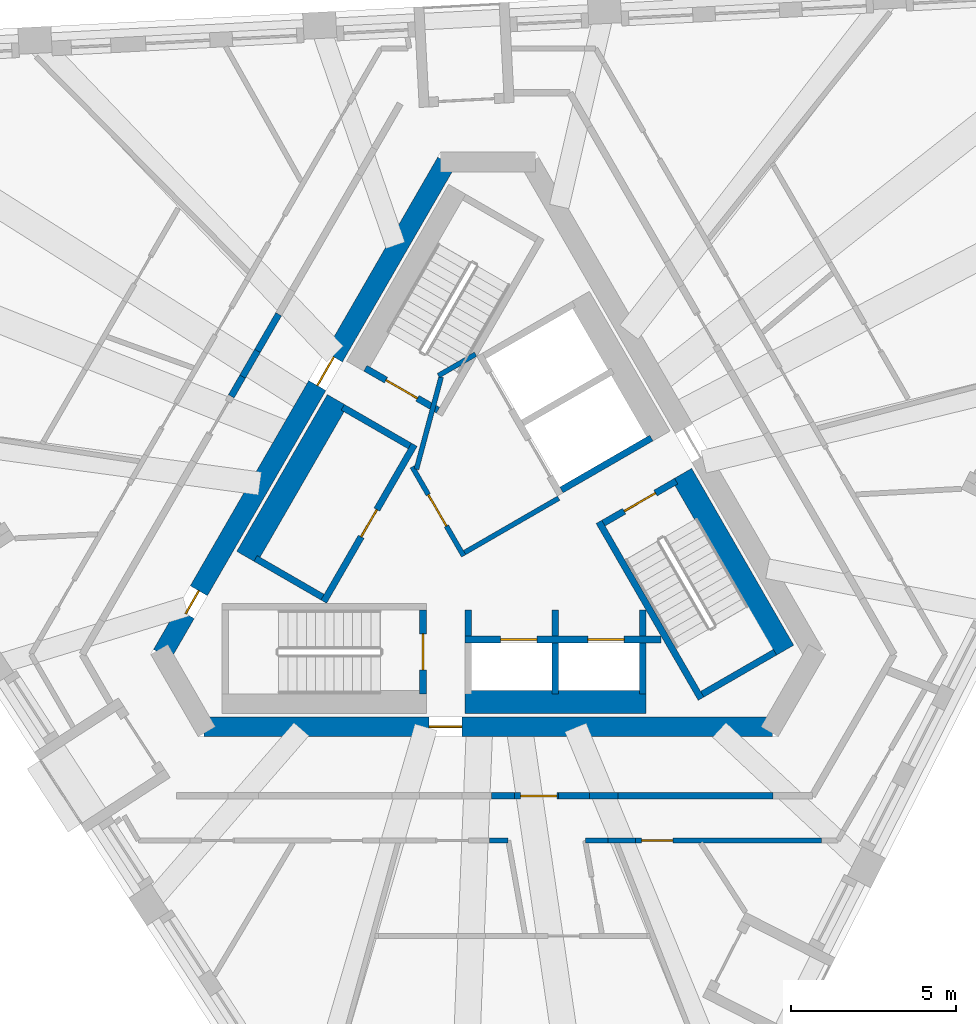
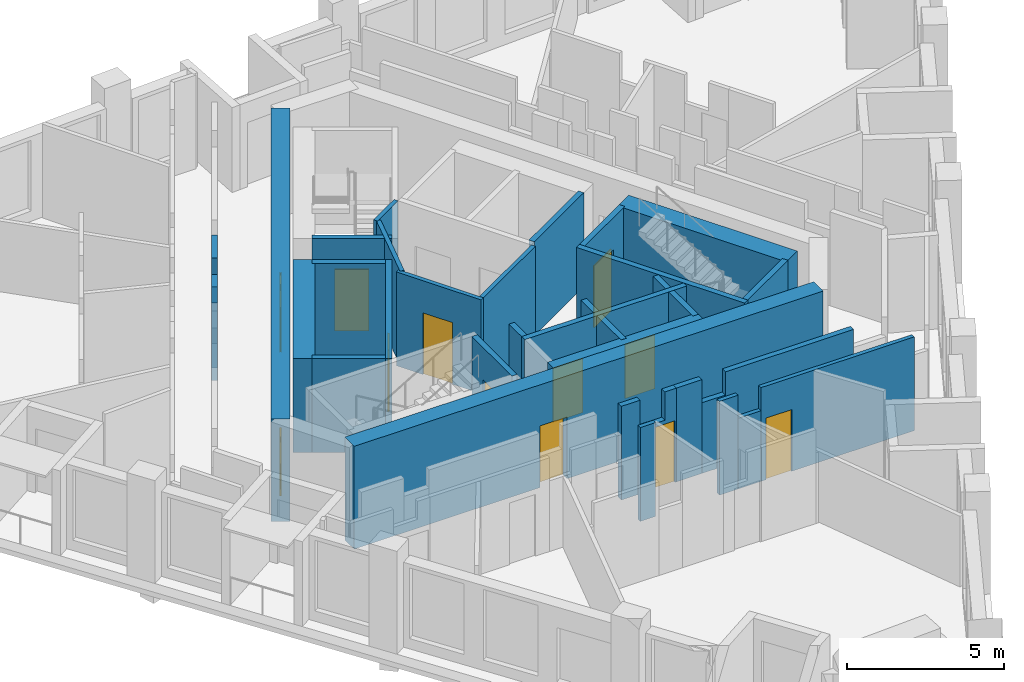
# One storey, part 4 of 12: 36 walls, 12 doors, 12 openings.
"""IFC4 building model written with IfcOpenShell, lengths in metres."""

from ifc_helpers import new_model, si_unit, direction, frame, frame_2d, origin, place, context, subcontext, project, spatial, polyline, rectangle, outline, extrude, material, layer, layer_set, type_object, element, fill, save


model = new_model("IFC4")

# Units and contexts
model_context = context("Model", 3, precision=1e-05, world=origin(), true_north=direction((0.0, 1.0)))
body_context = subcontext(model_context, "Body", "Model", "MODEL_VIEW")
ifc_project = project(units=[si_unit("LENGTHUNIT", "METRE"), si_unit("AREAUNIT", "SQUARE_METRE"), si_unit("VOLUMEUNIT", "CUBIC_METRE"), si_unit("PLANEANGLEUNIT", "RADIAN"), si_unit("MASSUNIT", "GRAM", prefix="KILO")], contexts=[model_context])

# Site, building, storey
site_placement = place(None, origin())
site = spatial("IfcSite", under=ifc_project, at=site_placement, CompositionType="ELEMENT")
building_placement = place(site_placement, origin())
building = spatial("IfcBuilding", under=site, at=building_placement, Name="Tramontana Tower", CompositionType="ELEMENT")
storey_placement = place(building_placement, frame((0.0, 0.0, 278.39990234375)))
storey = spatial("IfcBuildingStorey", under=building, at=storey_placement, Name="L65", CompositionType="ELEMENT", Elevation=278.39990234375)

# Wall, openings, doors
ifc_material_1 = material(Name="Concrete 70 MPa", Category="concrete")
ifc_layer_1 = layer(ifc_material_1, 0.60009765625)
ifc_layer_set_1 = layer_set([ifc_layer_1], Name="Core wall 600 70 MPa")
wall_type_1 = type_object("IfcWallType", Name="Core wall 600 70 MPa", PredefinedType="SHEAR", material=ifc_layer_set_1)
wall_1_placement = place(storey_placement, frame((-1.270263671875, 10.699951171875, 0.0), z_axis=(0.0, 0.0, 1.0), x_axis=(-0.499999536116, -0.866025671608, 0.0)))
wall_1 = element("IfcWall", 1, at=wall_1_placement, inside=storey, type_object=wall_type_1, Name="Core wall C1 L65", PredefinedType="SHEAR", context=body_context, shape_type="SweptSolid", body=[
    extrude(rectangle(XDim=17.2626953125, YDim=0.60009765625, at=frame_2d((8.63134765625, 0.0))), origin(), (0.0, 0.0, 1.0), 4.0),
])
opening_1_placement = place(wall_1_placement, frame((6.83642578125, 0.0, 0.0)))
opening_1 = element("IfcOpeningElement", 2, at=opening_1_placement, cuts=wall_1, Name="Opening RG1", PredefinedType="OPENING", context=body_context, shape_type="SweptSolid", body=[
    extrude(rectangle(XDim=1.0, YDim=2.39990234375, at=frame_2d((0.5, 1.199951171875))), frame((0.0, 0.31005859375, 0.0), z_axis=(0.0, -1.0, 0.0), x_axis=(1.0, 0.0, 0.0)), (0.0, 0.0, 1.0), 0.6201171875),
])
opening_2_placement = place(wall_1_placement, frame((15.0341796875, 0.0, 0.0)))
opening_2 = element("IfcOpeningElement", 3, at=opening_2_placement, cuts=wall_1, Name="Opening PD1", PredefinedType="OPENING", context=body_context, shape_type="SweptSolid", body=[
    extrude(rectangle(XDim=0.800048828125, YDim=2.10009765625, at=frame_2d((0.39990234375, 1.050048828125))), frame((0.0, 0.31005859375, 0.0), z_axis=(0.0, -1.0, 0.0), x_axis=(1.0, 0.0, 0.0)), (0.0, 0.0, 1.0), 0.6201171875),
])
ifc_material_2 = material(Name="Painted steel", Category="steel")
door_type_1 = type_object("IfcDoorType", Name="CUPBOARD DOOR 800", OperationType="SINGLE_SWING_LEFT", PredefinedType="DOOR", material=ifc_material_2)
door_1_placement = place(opening_2_placement, origin())
door_1 = element("IfcDoor", 4, at=door_1_placement, inside=storey, type_object=door_type_1, Name="Door PD1", OperationType="SINGLE_SWING_RIGHT", OverallHeight=2.10009765625, OverallWidth=0.800048828125, PredefinedType="DOOR", context=body_context, shape_type="SweptSolid", body=[
    extrude(rectangle(XDim=0.800048828125, YDim=2.10009765625, at=frame_2d((0.39990234375, 1.050048828125))), frame((0.0, 0.02490234375, 0.0), z_axis=(0.0, -1.0, 0.0), x_axis=(1.0, 0.0, 0.0)), (0.0, 0.0, 1.0), 0.050048828125),
])
fill(opening_2, door_1)
ifc_material_3 = material(Name="Painted steel", Category="steel")
door_type_2 = type_object("IfcDoorType", Name="RING DOOR 1000", OperationType="SINGLE_SWING_LEFT", PredefinedType="DOOR", material=ifc_material_3)
door_2_placement = place(opening_1_placement, origin())
door_2 = element("IfcDoor", 5, at=door_2_placement, inside=storey, type_object=door_type_2, Name="Door RG1", OperationType="SINGLE_SWING_LEFT", OverallHeight=2.39990234375, OverallWidth=1.0, PredefinedType="DOOR", context=body_context, shape_type="SweptSolid", body=[
    extrude(rectangle(XDim=1.0, YDim=2.39990234375, at=frame_2d((0.5, 1.199951171875))), frame((0.0, 0.02490234375, 0.0), z_axis=(0.0, -1.0, 0.0), x_axis=(1.0, 0.0, 0.0)), (0.0, 0.0, 1.0), 0.050048828125),
])
fill(opening_1, door_2)

# Wall, opening, door
wall_2_placement = place(storey_placement, frame((-8.63134765625, -6.449951171875, 0.0), z_axis=(0.0, 0.0, 1.0), x_axis=(1.0, 0.0, 0.0)))
wall_2 = element("IfcWall", 6, at=wall_2_placement, inside=storey, type_object=wall_type_1, Name="Core wall C3 L65", PredefinedType="SHEAR", context=body_context, shape_type="SweptSolid", body=[
    extrude(rectangle(XDim=17.2626953125, YDim=0.60009765625, at=frame_2d((8.63134765625, 0.0))), origin(), (0.0, 0.0, 1.0), 4.0),
])
opening_3_placement = place(wall_2_placement, frame((6.83642578125, 0.0, 0.0)))
opening_3 = element("IfcOpeningElement", 7, at=opening_3_placement, cuts=wall_2, Name="Opening RG2", PredefinedType="OPENING", context=body_context, shape_type="SweptSolid", body=[
    extrude(rectangle(XDim=1.0, YDim=2.39990234375, at=frame_2d((0.5, 1.199951171875))), frame((0.0, 0.31005859375, 0.0), z_axis=(0.0, -1.0, 0.0), x_axis=(1.0, 0.0, 0.0)), (0.0, 0.0, 1.0), 0.6201171875),
])
door_3_placement = place(opening_3_placement, origin())
door_3 = element("IfcDoor", 8, at=door_3_placement, inside=storey, type_object=door_type_2, Name="Door RG2", OperationType="SINGLE_SWING_RIGHT", OverallHeight=2.39990234375, OverallWidth=1.0, PredefinedType="DOOR", context=body_context, shape_type="SweptSolid", body=[
    extrude(rectangle(XDim=1.0, YDim=2.39990234375, at=frame_2d((0.5, 1.199951171875))), frame((0.0, 0.02490234375, 0.0), z_axis=(0.0, -1.0, 0.0), x_axis=(1.0, 0.0, 0.0)), (0.0, 0.0, 1.0), 0.050048828125),
])
fill(opening_3, door_3)

# Walls
ifc_material_4 = material(Name="Blockwork", Category="masonry")
ifc_layer_2 = layer(ifc_material_4, 0.199951171875)
ifc_layer_set_2 = layer_set([ifc_layer_2], Name="ENTRY WALL 200")
wall_type_2 = type_object("IfcWallType", Name="ENTRY WALL 200", PredefinedType="SOLIDWALL", material=ifc_layer_set_2)
wall_3_placement = place(storey_placement, frame((8.6552734375, -8.550048828125, 0.0), z_axis=(0.0, 0.0, 1.0), x_axis=(-1.0, 0.0, 0.0)))
element("IfcWall", 9, at=wall_3_placement, inside=storey, type_object=wall_type_2, Name="Wall v70-ew1-1", PredefinedType="SOLIDWALL", context=body_context, shape_type="SweptSolid", body=[
    extrude(rectangle(XDim=4.71728515625, YDim=0.199951171875, at=frame_2d((2.358642578125, 0.0))), origin(), (0.0, 0.0, 1.0), 3.650146484375),
])
wall_4_placement = place(storey_placement, frame((3.93798828125, -8.550048828125, 0.0), z_axis=(0.0, 0.0, 1.0), x_axis=(-1.0, 0.0, 0.0)))
element("IfcWall", 10, at=wall_4_placement, inside=storey, type_object=wall_type_2, Name="Wall v70-ew1-2", PredefinedType="SOLIDWALL", context=body_context, shape_type="SweptSolid", body=[
    extrude(rectangle(XDim=0.864501953125, YDim=0.199951171875, at=frame_2d((0.43212890625, 0.0))), origin(), (0.0, 0.0, 1.0), 2.75),
])
wall_5_placement = place(storey_placement, frame((3.073486328125, -8.550048828125, 0.0), z_axis=(0.0, 0.0, 1.0), x_axis=(-1.0, 0.0, 0.0)))
element("IfcWall", 11, at=wall_5_placement, inside=storey, type_object=wall_type_2, Name="Wall v70-ew1-3", PredefinedType="SOLIDWALL", context=body_context, shape_type="SweptSolid", body=[
    extrude(rectangle(XDim=0.939208984375, YDim=0.199951171875, at=frame_2d((0.4697265625, 0.0))), origin(), (0.0, 0.0, 1.0), 3.650146484375),
])

# Wall, opening, door
wall_6_placement = place(storey_placement, frame((2.13427734375, -8.550048828125, 0.0), z_axis=(0.0, 0.0, 1.0), x_axis=(-1.0, 0.0, 0.0)))
wall_6 = element("IfcWall", 12, at=wall_6_placement, inside=storey, type_object=wall_type_2, Name="Wall v70-ew1-4", PredefinedType="SOLIDWALL", context=body_context, shape_type="SweptSolid", body=[
    extrude(outline(polyline([(0.0, 0.0), (1.339111328125, 0.0), (1.3388671875, 2.550048828125), (0.429443359375, 2.550048828125), (0.429443359375, 3.650146484375), (0.0, 3.650146484375), (0.0, 0.0)])), frame((0.0, 0.10009765625, 0.0), z_axis=(0.0, -1.0, 0.0), x_axis=(1.0, 0.0, 0.0)), (0.0, 0.0, 1.0), 0.199951171875),
])
opening_4_placement = place(wall_6_placement, frame((0.050048828125, 0.0, 0.0)))
opening_4 = element("IfcOpeningElement", 13, at=opening_4_placement, cuts=wall_6, Name="Opening B7A-22", PredefinedType="OPENING", context=body_context, shape_type="SweptSolid", body=[
    extrude(rectangle(XDim=1.10009765625, YDim=2.39990234375, at=frame_2d((0.550048828125, 1.199951171875))), frame((0.0, 0.10986328125, 0.0), z_axis=(0.0, -1.0, 0.0), x_axis=(1.0, 0.0, 0.0)), (0.0, 0.0, 1.0), 0.219970703125),
])
ifc_material_5 = material(Name="Painted timber", Category="wood")
door_type_3 = type_object("IfcDoorType", Name="DOOR ENTRY 1100", OperationType="SINGLE_SWING_LEFT", PredefinedType="DOOR", material=ifc_material_5)
door_4_placement = place(opening_4_placement, origin())
door_4 = element("IfcDoor", 14, at=door_4_placement, inside=storey, type_object=door_type_3, Name="Door B7A-22", OperationType="SINGLE_SWING_RIGHT", OverallHeight=2.39990234375, OverallWidth=1.10009765625, PredefinedType="DOOR", context=body_context, shape_type="SweptSolid", body=[
    extrude(rectangle(XDim=1.10009765625, YDim=2.39990234375, at=frame_2d((0.550048828125, 1.199951171875))), frame((0.0, 0.02490234375, 0.0), z_axis=(0.0, -1.0, 0.0), x_axis=(1.0, 0.0, 0.0)), (0.0, 0.0, 1.0), 0.050048828125),
])
fill(opening_4, door_4)

# Walls
wall_7_placement = place(storey_placement, frame((0.795166015625, -8.550048828125, 0.0), z_axis=(0.0, 0.0, 1.0), x_axis=(-1.0, 0.0, 0.0)))
element("IfcWall", 15, at=wall_7_placement, inside=storey, type_object=wall_type_2, Name="Wall v70-ew1-5", PredefinedType="SOLIDWALL", context=body_context, shape_type="SweptSolid", body=[
    extrude(rectangle(XDim=0.69091796875, YDim=0.199951171875, at=frame_2d((0.345458984375, 0.0))), origin(), (0.0, 0.0, 1.0), 3.650146484375),
])
wall_8_placement = place(storey_placement, frame((-7.80224609375, 3.586181640625, 0.0), z_axis=(0.0, 0.0, 1.0), x_axis=(0.500242282693, 0.865885476611, 0.0)))
element("IfcWall", 16, at=wall_8_placement, inside=storey, type_object=wall_type_2, Name="Wall v70-ew3-5", PredefinedType="SOLIDWALL", context=body_context, shape_type="SweptSolid", body=[
    extrude(rectangle(XDim=0.691162109375, YDim=0.199951171875, at=frame_2d((0.345703125, 0.0))), origin(), (0.0, 0.0, 1.0), 3.650146484375),
])
wall_9_placement = place(storey_placement, frame((-7.45654296875, 4.1845703125, 0.0), z_axis=(0.0, 0.0, 1.0), x_axis=(0.499753735824, 0.866167537795, 0.0)))
element("IfcWall", 17, at=wall_9_placement, inside=storey, type_object=wall_type_2, Name="Wall v70-ew3-6", PredefinedType="SOLIDWALL", context=body_context, shape_type="SweptSolid", body=[
    extrude(rectangle(XDim=0.90087890625, YDim=0.199951171875, at=frame_2d((0.450439453125, 0.0))), origin(), (0.0, 0.0, 1.0), 2.550048828125),
])
wall_10_placement = place(storey_placement, frame((-7.00634765625, 4.96484375, 0.0), z_axis=(0.0, 0.0, 1.0), x_axis=(0.500018234033, 0.866014876105, 0.0)))
element("IfcWall", 18, at=wall_10_placement, inside=storey, type_object=wall_type_2, Name="Wall v70-ew3-7", PredefinedType="SOLIDWALL", context=body_context, shape_type="SweptSolid", body=[
    extrude(rectangle(XDim=1.2861328125, YDim=0.199951171875, at=frame_2d((0.64306640625, 0.0))), origin(), (0.0, 0.0, 1.0), 3.650146484375),
])

# Wall, opening, door
ifc_material_6 = material(Name="Gypsum board partition")
ifc_layer_3 = layer(ifc_material_6, 0.14990234375)
ifc_layer_set_3 = layer_set([ifc_layer_3], Name="PARTITION 150")
wall_type_3 = type_object("IfcWallType", Name="PARTITION 150", PredefinedType="PARTITIONING", material=ifc_layer_set_3)
wall_11_placement = place(storey_placement, frame((-0.744140625, -1.260986328125, 0.0), z_axis=(0.0, 0.0, 1.0), x_axis=(-0.500004234368, 0.866022959057, 0.0)))
wall_11 = element("IfcWall", 19, at=wall_11_placement, inside=storey, type_object=wall_type_3, Name="Wall ff-front", PredefinedType="PARTITIONING", context=body_context, shape_type="SweptSolid", body=[
    extrude(rectangle(XDim=3.125, YDim=0.14990234375, at=frame_2d((1.5625, 0.0))), origin(), (0.0, 0.0, 1.0), 3.650146484375),
])
opening_5_placement = place(wall_11_placement, frame((1.050048828125, 0.0, 0.0)))
opening_5 = element("IfcOpeningElement", 20, at=opening_5_placement, cuts=wall_11, Name="Opening FD1", PredefinedType="OPENING", context=body_context, shape_type="SweptSolid", body=[
    extrude(rectangle(XDim=1.10009765625, YDim=2.39990234375, at=frame_2d((0.550048828125, 1.199951171875))), frame((0.0, 0.0849609375, 0.0), z_axis=(0.0, -1.0, 0.0), x_axis=(1.0, 0.0, 0.0)), (0.0, 0.0, 1.0), 0.169921875),
])
door_5_placement = place(opening_5_placement, origin())
door_5 = element("IfcDoor", 21, at=door_5_placement, inside=storey, type_object=door_type_3, Name="Door FD1", OperationType="SINGLE_SWING_RIGHT", OverallHeight=2.39990234375, OverallWidth=1.10009765625, PredefinedType="DOOR", context=body_context, shape_type="SweptSolid", body=[
    extrude(rectangle(XDim=1.10009765625, YDim=2.39990234375, at=frame_2d((0.550048828125, 1.199951171875))), frame((0.0, 0.02490234375, 0.0), z_axis=(0.0, -1.0, 0.0), x_axis=(1.0, 0.0, 0.0)), (0.0, 0.0, 1.0), 0.050048828125),
])
fill(opening_5, door_5)

# Walls
wall_12_placement = place(storey_placement, frame((-0.716796875, -1.15869140625, 0.0), z_axis=(0.0, 0.0, 1.0), x_axis=(0.866008176907, 0.50002983664, 0.0)))
element("IfcWall", 22, at=wall_12_placement, inside=storey, type_object=wall_type_3, Name="Wall ff-end0", PredefinedType="PARTITIONING", context=body_context, shape_type="SweptSolid", body=[
    extrude(rectangle(XDim=3.300048828125, YDim=0.14990234375, at=frame_2d((1.64990234375, 0.0))), origin(), (0.0, 0.0, 1.0), 3.650146484375),
])
wall_13_placement = place(storey_placement, frame((-2.177978515625, 1.372314453125, 0.0), z_axis=(0.0, 0.0, 1.0), x_axis=(0.258808958833, 0.96592852884, 0.0)))
element("IfcWall", 23, at=wall_13_placement, inside=storey, type_object=wall_type_3, Name="Wall ff-diag", PredefinedType="PARTITIONING", context=body_context, shape_type="SweptSolid", body=[
    extrude(rectangle(XDim=2.902587890625, YDim=0.14990234375, at=frame_2d((1.451171875, 0.0))), origin(), (0.0, 0.0, 1.0), 3.650146484375),
])
wall_14_placement = place(storey_placement, frame((-1.509765625, 4.21484375, 0.0), z_axis=(0.0, 0.0, 1.0), x_axis=(0.866085525409, 0.49989585183, 0.0)))
element("IfcWall", 24, at=wall_14_placement, inside=storey, type_object=wall_type_3, Name="Wall ff-end1", PredefinedType="PARTITIONING", context=body_context, shape_type="SweptSolid", body=[
    extrude(rectangle(XDim=1.300048828125, YDim=0.14990234375, at=frame_2d((0.64990234375, 0.0))), origin(), (0.0, 0.0, 1.0), 3.650146484375),
])
wall_15_placement = place(storey_placement, frame((0.604736328125, -9.89990234375, 0.0), z_axis=(0.0, 0.0, 1.0), x_axis=(-1.0, 0.0, 0.0)))
element("IfcWall", 25, at=wall_15_placement, inside=storey, type_object=wall_type_3, Name="Wall v70-pw14-0", PredefinedType="PARTITIONING", context=body_context, shape_type="SweptSolid", body=[
    extrude(rectangle(XDim=0.567626953125, YDim=0.14990234375, at=frame_2d((0.28369140625, 0.0))), origin(), (0.0, 0.0, 1.0), 3.650146484375),
])

# Wall, opening, door
wall_16_placement = place(storey_placement, frame((10.121337890625, -9.89990234375, 0.0), z_axis=(0.0, 0.0, 1.0), x_axis=(-1.0, 0.0, 0.0)))
wall_16 = element("IfcWall", 26, at=wall_16_placement, inside=storey, type_object=wall_type_3, Name="Wall v70-pw26-1", PredefinedType="PARTITIONING", context=body_context, shape_type="SweptSolid", body=[
    extrude(rectangle(XDim=5.643310546875, YDim=0.14990234375, at=frame_2d((2.82177734375, 0.0))), origin(), (0.0, 0.0, 1.0), 3.650146484375),
])
opening_6_placement = place(wall_16_placement, frame((4.509765625, 0.0, 0.0)))
opening_6 = element("IfcOpeningElement", 27, at=opening_6_placement, cuts=wall_16, Name="Opening B7A-12", PredefinedType="OPENING", context=body_context, shape_type="SweptSolid", body=[
    extrude(rectangle(XDim=0.949951171875, YDim=2.39990234375, at=frame_2d((0.47509765625, 1.199951171875))), frame((0.0, 0.0849609375, 0.0), z_axis=(0.0, -1.0, 0.0), x_axis=(1.0, 0.0, 0.0)), (0.0, 0.0, 1.0), 0.169921875),
])
ifc_material_7 = material(Name="Painted timber", Category="wood")
door_type_4 = type_object("IfcDoorType", Name="DOOR ROOM 950", OperationType="SINGLE_SWING_LEFT", PredefinedType="DOOR", material=ifc_material_7)
door_6_placement = place(opening_6_placement, origin())
door_6 = element("IfcDoor", 28, at=door_6_placement, inside=storey, type_object=door_type_4, Name="Door B7A-12", OperationType="SINGLE_SWING_RIGHT", OverallHeight=2.39990234375, OverallWidth=0.949951171875, PredefinedType="DOOR", context=body_context, shape_type="SweptSolid", body=[
    extrude(rectangle(XDim=0.949951171875, YDim=2.39990234375, at=frame_2d((0.47509765625, 1.199951171875))), frame((0.0, 0.02490234375, 0.0), z_axis=(0.0, -1.0, 0.0), x_axis=(1.0, 0.0, 0.0)), (0.0, 0.0, 1.0), 0.050048828125),
])
fill(opening_6, door_6)

# Walls
wall_17_placement = place(storey_placement, frame((4.47802734375, -9.89990234375, 0.0), z_axis=(0.0, 0.0, 1.0), x_axis=(-1.0, 0.0, 0.0)))
element("IfcWall", 29, at=wall_17_placement, inside=storey, type_object=wall_type_3, Name="Wall v70-pw26-2", PredefinedType="PARTITIONING", context=body_context, shape_type="SweptSolid", body=[
    extrude(rectangle(XDim=0.837646484375, YDim=0.14990234375, at=frame_2d((0.4189453125, 0.0))), origin(), (0.0, 0.0, 1.0), 2.75),
])
wall_18_placement = place(storey_placement, frame((3.640380859375, -9.89990234375, 0.0), z_axis=(0.0, 0.0, 1.0), x_axis=(-1.0, 0.0, 0.0)))
element("IfcWall", 30, at=wall_18_placement, inside=storey, type_object=wall_type_3, Name="Wall v70-pw26-3", PredefinedType="PARTITIONING", context=body_context, shape_type="SweptSolid", body=[
    extrude(rectangle(XDim=0.69091796875, YDim=0.14990234375, at=frame_2d((0.345458984375, 0.0))), origin(), (0.0, 0.0, 1.0), 3.650146484375),
])
ifc_material_8 = material(Name="Concrete 70 MPa", Category="concrete")
ifc_layer_4 = layer(ifc_material_8, 0.699951171875)
ifc_layer_set_4 = layer_set([ifc_layer_4], Name="Concrete 70 MPa, 700 mm")
wall_type_4 = type_object("IfcWallType", Name="RC SHAFT BACK WALL 700", PredefinedType="SOLIDWALL", material=ifc_layer_set_4)
wall_19_placement = place(storey_placement, frame((8.976318359375, -4.1474609375, 0.0), z_axis=(0.0, 0.0, 1.0), x_axis=(-0.49998037582, 0.866036733513, 0.0)))
element("IfcWall", 31, at=wall_19_placement, inside=storey, type_object=wall_type_4, Name="Wall st3-back", PredefinedType="SOLIDWALL", context=body_context, shape_type="SweptSolid", body=[
    extrude(rectangle(XDim=6.199951171875, YDim=0.699951171875, at=frame_2d((3.10009765625, 0.0))), origin(), (0.0, 0.0, 1.0), 3.650146484375),
])
for number, where, z_axis, x_axis, name in (
    (32, (-4.581298828125, 3.46484375, 0.0), (0.0, 0.0, 1.0), (-0.499996545922, -0.866027397988, 0.0), "Wall row0-back"),
    (33, (-0.7099609375, -5.699951171875, 0.0), (0.0, 0.0, 1.0), (1.0, 0.0, 0.0), "Wall row1-back"),
):
    element("IfcWall", number, at=place(storey_placement, frame(where, z_axis=z_axis, x_axis=x_axis)), inside=storey, type_object=wall_type_4, Name=name, PredefinedType="SOLIDWALL", context=body_context, shape_type="SweptSolid", body=[
        extrude(rectangle(XDim=5.5, YDim=0.699951171875, at=frame_2d((2.75, 0.0))), origin(), (0.0, 0.0, 1.0), 3.650146484375),
    ])

# Wall, opening, door
ifc_material_9 = material(Name="Concrete 70 MPa", Category="concrete")
ifc_layer_5 = layer(ifc_material_9, 0.199951171875)
ifc_layer_set_5 = layer_set([ifc_layer_5], Name="Concrete 70 MPa, 200 mm")
wall_type_5 = type_object("IfcWallType", Name="RC STAIR AND SHAFT WALL 200", PredefinedType="SOLIDWALL", material=ifc_layer_set_5)
wall_20_placement = place(storey_placement, frame((-1.521484375, 3.164794921875, 0.0), z_axis=(0.0, 0.0, 1.0), x_axis=(-0.866030925526, 0.499990435942, 0.0)))
wall_20 = element("IfcWall", 34, at=wall_20_placement, inside=storey, type_object=wall_type_5, Name="Wall st1-near", PredefinedType="SOLIDWALL", context=body_context, shape_type="SweptSolid", body=[
    extrude(rectangle(XDim=2.5498046875, YDim=0.199951171875, at=frame_2d((1.27490234375, 0.0))), origin(), (0.0, 0.0, 1.0), 3.650146484375),
])
opening_7_placement = place(wall_20_placement, frame((0.72509765625, 0.0, 0.0)))
opening_7 = element("IfcOpeningElement", 35, at=opening_7_placement, cuts=wall_20, Name="Opening SD1", PredefinedType="OPENING", context=body_context, shape_type="SweptSolid", body=[
    extrude(rectangle(XDim=1.10009765625, YDim=2.39990234375, at=frame_2d((0.550048828125, 1.199951171875))), frame((0.0, 0.10986328125, 0.0), z_axis=(0.0, -1.0, 0.0), x_axis=(1.0, 0.0, 0.0)), (0.0, 0.0, 1.0), 0.219970703125),
])
ifc_material_10 = material(Name="Painted steel", Category="steel")
door_type_5 = type_object("IfcDoorType", Name="STAIR DOOR 1100", OperationType="SINGLE_SWING_LEFT", PredefinedType="DOOR", material=ifc_material_10)
door_7_placement = place(opening_7_placement, origin())
door_7 = element("IfcDoor", 36, at=door_7_placement, inside=storey, type_object=door_type_5, Name="Door SD1", OperationType="SINGLE_SWING_RIGHT", OverallHeight=2.39990234375, OverallWidth=1.10009765625, PredefinedType="DOOR", context=body_context, shape_type="SweptSolid", body=[
    extrude(rectangle(XDim=1.10009765625, YDim=2.39990234375, at=frame_2d((0.550048828125, 1.199951171875))), frame((0.0, 0.02490234375, 0.0), z_axis=(0.0, -1.0, 0.0), x_axis=(1.0, 0.0, 0.0)), (0.0, 0.0, 1.0), 0.050048828125),
])
fill(opening_7, door_7)

wall_21_placement = place(storey_placement, frame((-1.97998046875, -2.89990234375, 0.0), z_axis=(0.0, 0.0, 1.0), x_axis=(0.0, -1.0, 0.0)))
wall_21 = element("IfcWall", 37, at=wall_21_placement, inside=storey, type_object=wall_type_5, Name="Wall st2-near", PredefinedType="SOLIDWALL", context=body_context, shape_type="SweptSolid", body=[
    extrude(rectangle(XDim=2.550048828125, YDim=0.199951171875, at=frame_2d((1.27490234375, 0.0))), origin(), (0.0, 0.0, 1.0), 3.650146484375),
])
opening_8_placement = place(wall_21_placement, frame((0.72509765625, 0.0, 0.0)))
opening_8 = element("IfcOpeningElement", 38, at=opening_8_placement, cuts=wall_21, Name="Opening SD2", PredefinedType="OPENING", context=body_context, shape_type="SweptSolid", body=[
    extrude(rectangle(XDim=1.10009765625, YDim=2.39990234375, at=frame_2d((0.550048828125, 1.199951171875))), frame((0.0, 0.10986328125, 0.0), z_axis=(0.0, -1.0, 0.0), x_axis=(1.0, 0.0, 0.0)), (0.0, 0.0, 1.0), 0.219970703125),
])
door_8_placement = place(opening_8_placement, origin())
door_8 = element("IfcDoor", 39, at=door_8_placement, inside=storey, type_object=door_type_5, Name="Door SD2", OperationType="SINGLE_SWING_LEFT", OverallHeight=2.39990234375, OverallWidth=1.10009765625, PredefinedType="DOOR", context=body_context, shape_type="SweptSolid", body=[
    extrude(rectangle(XDim=1.10009765625, YDim=2.39990234375, at=frame_2d((0.550048828125, 1.199951171875))), frame((0.0, 0.02490234375, 0.0), z_axis=(0.0, -1.0, 0.0), x_axis=(1.0, 0.0, 0.0)), (0.0, 0.0, 1.0), 0.050048828125),
])
fill(opening_8, door_8)

# Walls
wall_22_placement = place(storey_placement, frame((6.46484375, -5.597412109375, 0.0), z_axis=(0.0, 0.0, 1.0), x_axis=(-0.49998037582, 0.866036733513, 0.0)))
element("IfcWall", 40, at=wall_22_placement, inside=storey, type_object=wall_type_5, Name="Wall st3-front", PredefinedType="SOLIDWALL", context=body_context, shape_type="SweptSolid", body=[
    extrude(rectangle(XDim=6.199951171875, YDim=0.199951171875, at=frame_2d((3.10009765625, 0.0))), origin(), (0.0, 0.0, 1.0), 3.650146484375),
])
wall_23_placement = place(storey_placement, frame((6.50146484375, -5.4609375, 0.0), z_axis=(0.0, 0.0, 1.0), x_axis=(0.865989465428, 0.500062241894, 0.0)))
element("IfcWall", 41, at=wall_23_placement, inside=storey, type_object=wall_type_5, Name="Wall st3-far", PredefinedType="SOLIDWALL", context=body_context, shape_type="SweptSolid", body=[
    extrude(rectangle(XDim=2.550048828125, YDim=0.199951171875, at=frame_2d((1.27490234375, 0.0))), origin(), (0.0, 0.0, 1.0), 3.650146484375),
])

# Wall, opening, door
wall_24_placement = place(storey_placement, frame((3.50146484375, -0.2646484375, 0.0), z_axis=(0.0, 0.0, 1.0), x_axis=(0.866030925526, 0.499990435942, 0.0)))
wall_24 = element("IfcWall", 42, at=wall_24_placement, inside=storey, type_object=wall_type_5, Name="Wall st3-near", PredefinedType="SOLIDWALL", context=body_context, shape_type="SweptSolid", body=[
    extrude(rectangle(XDim=2.5498046875, YDim=0.199951171875, at=frame_2d((1.27490234375, 0.0))), origin(), (0.0, 0.0, 1.0), 3.650146484375),
])
opening_9_placement = place(wall_24_placement, frame((0.72509765625, 0.0, 0.0)))
opening_9 = element("IfcOpeningElement", 43, at=opening_9_placement, cuts=wall_24, Name="Opening SD3", PredefinedType="OPENING", context=body_context, shape_type="SweptSolid", body=[
    extrude(rectangle(XDim=1.10009765625, YDim=2.39990234375, at=frame_2d((0.550048828125, 1.199951171875))), frame((0.0, 0.10986328125, 0.0), z_axis=(0.0, -1.0, 0.0), x_axis=(1.0, 0.0, 0.0)), (0.0, 0.0, 1.0), 0.219970703125),
])
door_9_placement = place(opening_9_placement, origin())
door_9 = element("IfcDoor", 44, at=door_9_placement, inside=storey, type_object=door_type_5, Name="Door SD3", OperationType="SINGLE_SWING_RIGHT", OverallHeight=2.39990234375, OverallWidth=1.10009765625, PredefinedType="DOOR", context=body_context, shape_type="SweptSolid", body=[
    extrude(rectangle(XDim=1.10009765625, YDim=2.39990234375, at=frame_2d((0.550048828125, 1.199951171875))), frame((0.0, 0.02490234375, 0.0), z_axis=(0.0, -1.0, 0.0), x_axis=(1.0, 0.0, 0.0)), (0.0, 0.0, 1.0), 0.050048828125),
])
fill(opening_9, door_9)

wall_25_placement = place(storey_placement, frame((-4.9931640625, -2.648193359375, 0.0), z_axis=(0.0, 0.0, 1.0), x_axis=(0.499996545922, 0.866027397988, 0.0)))
wall_25 = element("IfcWall", 45, at=wall_25_placement, inside=storey, type_object=wall_type_5, Name="Wall row0-front", PredefinedType="SOLIDWALL", context=body_context, shape_type="SweptSolid", body=[
    extrude(rectangle(XDim=5.5, YDim=0.199951171875, at=frame_2d((2.75, 0.0))), origin(), (0.0, 0.0, 1.0), 3.650146484375),
])
opening_10_placement = place(wall_25_placement, frame((2.27490234375, 0.0, 0.0)))
opening_10 = element("IfcOpeningElement", 46, at=opening_10_placement, cuts=wall_25, Name="Opening RD-0", PredefinedType="OPENING", context=body_context, shape_type="SweptSolid", body=[
    extrude(rectangle(XDim=0.949951171875, YDim=2.39990234375, at=frame_2d((0.47509765625, 1.199951171875))), frame((0.0, 0.10986328125, 0.0), z_axis=(0.0, -1.0, 0.0), x_axis=(1.0, 0.0, 0.0)), (0.0, 0.0, 1.0), 0.219970703125),
])
door_10_placement = place(opening_10_placement, origin())
door_10 = element("IfcDoor", 47, at=door_10_placement, inside=storey, type_object=door_type_4, Name="Door RD-0", OperationType="SINGLE_SWING_LEFT", OverallHeight=2.39990234375, OverallWidth=0.949951171875, PredefinedType="DOOR", context=body_context, shape_type="SweptSolid", body=[
    extrude(rectangle(XDim=0.949951171875, YDim=2.39990234375, at=frame_2d((0.47509765625, 1.199951171875))), frame((0.0, 0.02490234375, 0.0), z_axis=(0.0, -1.0, 0.0), x_axis=(1.0, 0.0, 0.0)), (0.0, 0.0, 1.0), 0.050048828125),
])
fill(opening_10, door_10)

# Walls
wall_26_placement = place(storey_placement, frame((-2.379638671875, 2.078369140625, 0.0), z_axis=(0.0, 0.0, 1.0), x_axis=(-0.866061024631, 0.499938297808, 0.0)))
element("IfcWall", 48, at=wall_26_placement, inside=storey, type_object=wall_type_5, Name="Wall row0-side0", PredefinedType="SOLIDWALL", context=body_context, shape_type="SweptSolid", body=[
    extrude(rectangle(XDim=2.349853515625, YDim=0.199951171875, at=frame_2d((1.1748046875, 0.0))), origin(), (0.0, 0.0, 1.0), 3.650146484375),
])
wall_27_placement = place(storey_placement, frame((-5.02978515625, -2.51171875, 0.0), z_axis=(0.0, 0.0, 1.0), x_axis=(-0.866016039709, 0.500016218704, 0.0)))
element("IfcWall", 49, at=wall_27_placement, inside=storey, type_object=wall_type_5, Name="Wall row0-side2", PredefinedType="SOLIDWALL", context=body_context, shape_type="SweptSolid", body=[
    extrude(rectangle(XDim=2.35009765625, YDim=0.199951171875, at=frame_2d((1.175048828125, 0.0))), origin(), (0.0, 0.0, 1.0), 3.650146484375),
])

# Wall, openings, doors
wall_28_placement = place(storey_placement, frame((-0.7099609375, -3.800048828125, 0.0), z_axis=(0.0, 0.0, 1.0), x_axis=(1.0, 0.0, 0.0)))
wall_28 = element("IfcWall", 50, at=wall_28_placement, inside=storey, type_object=wall_type_5, Name="Wall row1-front", PredefinedType="SOLIDWALL", context=body_context, shape_type="SweptSolid", body=[
    extrude(rectangle(XDim=5.96142578125, YDim=0.199951171875, at=frame_2d((2.980712890625, 0.0))), origin(), (0.0, 0.0, 1.0), 3.650146484375),
])
opening_11_placement = place(wall_28_placement, frame((1.090087890625, 0.0, 0.0)))
opening_11 = element("IfcOpeningElement", 51, at=opening_11_placement, cuts=wall_28, Name="Opening LD-S1", PredefinedType="OPENING", context=body_context, shape_type="SweptSolid", body=[
    extrude(rectangle(XDim=1.10009765625, YDim=2.10009765625, at=frame_2d((0.550048828125, 1.050048828125))), frame((0.0, 0.10986328125, 0.0), z_axis=(0.0, -1.0, 0.0), x_axis=(1.0, 0.0, 0.0)), (0.0, 0.0, 1.0), 0.219970703125),
])
opening_12_placement = place(wall_28_placement, frame((3.739990234375, 0.0, 0.0)))
opening_12 = element("IfcOpeningElement", 52, at=opening_12_placement, cuts=wall_28, Name="Opening LD-S2", PredefinedType="OPENING", context=body_context, shape_type="SweptSolid", body=[
    extrude(rectangle(XDim=1.10009765625, YDim=2.10009765625, at=frame_2d((0.550048828125, 1.050048828125))), frame((0.0, 0.10986328125, 0.0), z_axis=(0.0, -1.0, 0.0), x_axis=(1.0, 0.0, 0.0)), (0.0, 0.0, 1.0), 0.219970703125),
])
ifc_material_11 = material(Name="Brushed steel", Category="steel")
door_type_6 = type_object("IfcDoorType", Name="LANDING DOOR 1100", OperationType="SINGLE_SWING_LEFT", PredefinedType="DOOR", material=ifc_material_11)
door_11_placement = place(opening_11_placement, origin())
door_11 = element("IfcDoor", 53, at=door_11_placement, inside=storey, type_object=door_type_6, Name="Door LD-S1", OperationType="SLIDING_TO_RIGHT", OverallHeight=2.10009765625, OverallWidth=1.10009765625, PredefinedType="DOOR", context=body_context, shape_type="SweptSolid", body=[
    extrude(rectangle(XDim=1.10009765625, YDim=2.10009765625, at=frame_2d((0.550048828125, 1.050048828125))), frame((0.0, 0.02490234375, 0.0), z_axis=(0.0, -1.0, 0.0), x_axis=(1.0, 0.0, 0.0)), (0.0, 0.0, 1.0), 0.050048828125),
])
fill(opening_11, door_11)
door_12_placement = place(opening_12_placement, origin())
door_12 = element("IfcDoor", 54, at=door_12_placement, inside=storey, type_object=door_type_6, Name="Door LD-S2", OperationType="SLIDING_TO_LEFT", OverallHeight=2.10009765625, OverallWidth=1.10009765625, PredefinedType="DOOR", context=body_context, shape_type="SweptSolid", body=[
    extrude(rectangle(XDim=1.10009765625, YDim=2.10009765625, at=frame_2d((0.550048828125, 1.050048828125))), frame((0.0, 0.02490234375, 0.0), z_axis=(0.0, -1.0, 0.0), x_axis=(1.0, 0.0, 0.0)), (0.0, 0.0, 1.0), 0.050048828125),
])
fill(opening_12, door_12)

# Walls
wall_29_placement = place(storey_placement, frame((-0.610107421875, -2.89990234375, 0.0), z_axis=(0.0, 0.0, 1.0), x_axis=(0.0, -1.0, 0.0)))
element("IfcWall", 55, at=wall_29_placement, inside=storey, type_object=wall_type_5, Name="Wall row1-side0-ret", PredefinedType="SOLIDWALL", context=body_context, shape_type="SweptSolid", body=[
    extrude(rectangle(XDim=0.800048828125, YDim=0.199951171875, at=frame_2d((0.39990234375, 0.0))), origin(), (0.0, 0.0, 1.0), 3.650146484375),
])
wall_30_placement = place(storey_placement, frame((2.0400390625, -3.89990234375, 0.0), z_axis=(0.0, 0.0, 1.0), x_axis=(0.0, -1.0, 0.0)))
element("IfcWall", 56, at=wall_30_placement, inside=storey, type_object=wall_type_5, Name="Wall row1-side1", PredefinedType="SOLIDWALL", context=body_context, shape_type="SweptSolid", body=[
    extrude(rectangle(XDim=1.550048828125, YDim=0.199951171875, at=frame_2d((0.77490234375, 0.0))), origin(), (0.0, 0.0, 1.0), 3.650146484375),
])
wall_31_placement = place(storey_placement, frame((2.0400390625, -2.89990234375, 0.0), z_axis=(0.0, 0.0, 1.0), x_axis=(0.0, -1.0, 0.0)))
element("IfcWall", 57, at=wall_31_placement, inside=storey, type_object=wall_type_5, Name="Wall row1-side1-ret", PredefinedType="SOLIDWALL", context=body_context, shape_type="SweptSolid", body=[
    extrude(rectangle(XDim=0.800048828125, YDim=0.199951171875, at=frame_2d((0.39990234375, 0.0))), origin(), (0.0, 0.0, 1.0), 3.650146484375),
])
wall_32_placement = place(storey_placement, frame((4.68994140625, -3.89990234375, 0.0), z_axis=(0.0, 0.0, 1.0), x_axis=(0.0, -1.0, 0.0)))
element("IfcWall", 58, at=wall_32_placement, inside=storey, type_object=wall_type_5, Name="Wall row1-side2", PredefinedType="SOLIDWALL", context=body_context, shape_type="SweptSolid", body=[
    extrude(rectangle(XDim=1.550048828125, YDim=0.199951171875, at=frame_2d((0.77490234375, 0.0))), origin(), (0.0, 0.0, 1.0), 3.650146484375),
])
wall_33_placement = place(storey_placement, frame((4.68994140625, -2.89990234375, 0.0), z_axis=(0.0, 0.0, 1.0), x_axis=(0.0, -1.0, 0.0)))
element("IfcWall", 59, at=wall_33_placement, inside=storey, type_object=wall_type_5, Name="Wall row1-side2-ret", PredefinedType="SOLIDWALL", context=body_context, shape_type="SweptSolid", body=[
    extrude(rectangle(XDim=0.800048828125, YDim=0.199951171875, at=frame_2d((0.39990234375, 0.0))), origin(), (0.0, 0.0, 1.0), 3.650146484375),
])
wall_34_placement = place(storey_placement, frame((2.226806640625, 0.742919921875, 0.0), z_axis=(0.0, 0.0, 1.0), x_axis=(0.866035871367, 0.499981869177, 0.0)))
element("IfcWall", 60, at=wall_34_placement, inside=storey, type_object=wall_type_5, Name="Wall row2-side0", PredefinedType="SOLIDWALL", context=body_context, shape_type="SweptSolid", body=[
    extrude(rectangle(XDim=3.14990234375, YDim=0.199951171875, at=frame_2d((1.574951171875, 0.0))), origin(), (0.0, 0.0, 1.0), 3.650146484375),
])

save(model, "model.ifc")
